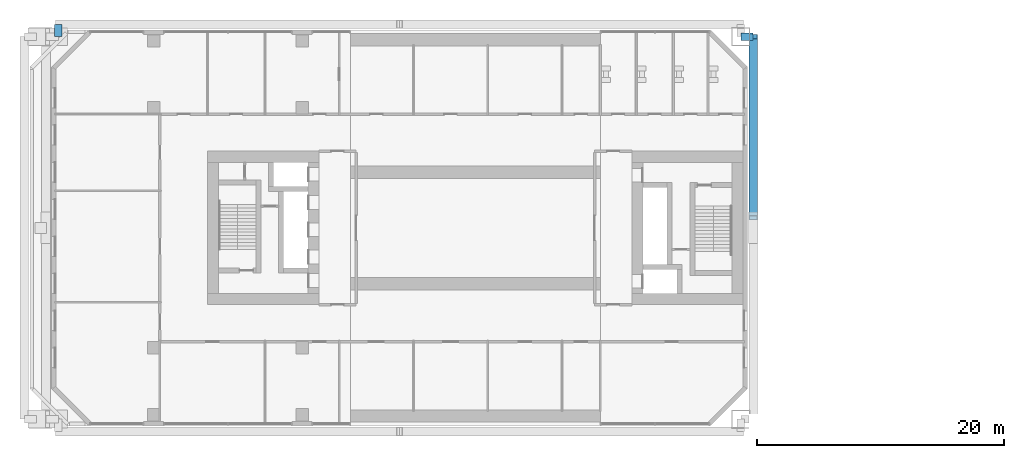
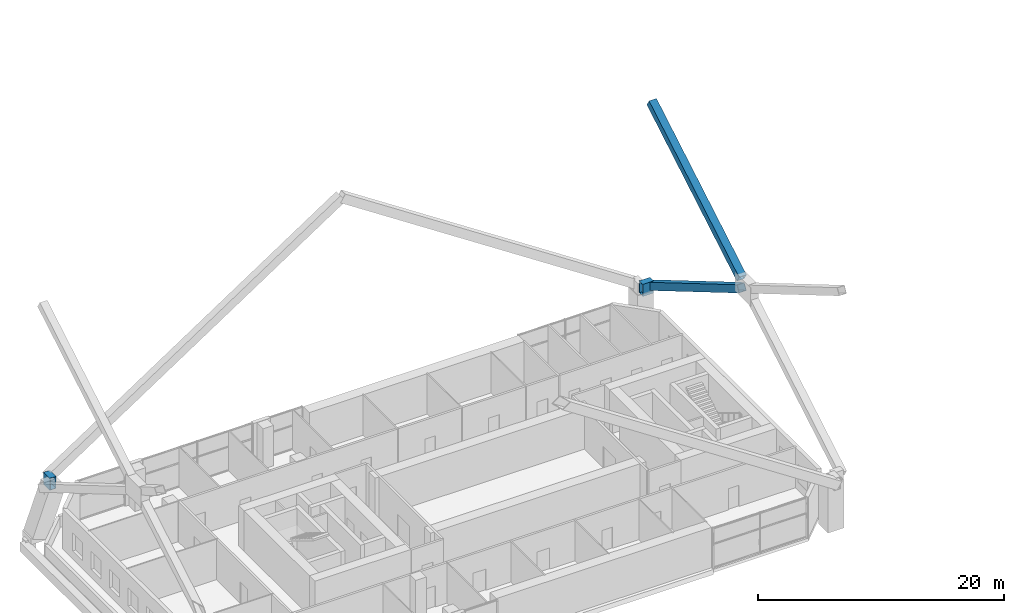
# One storey, part 6 of 25: 2 beams, 2 members.
"""IFC4 building model written with IfcOpenShell, lengths in metres."""

from ifc_helpers import new_model, si_unit, direction, frame, origin, origin_2d, place, context, subcontext, project, spatial, hollow_rectangle, extrude, material, material_profile, profile_set, type_object, element, save


model = new_model("IFC4")

# Units and contexts
model_context = context("Model", 3, precision=1e-05, world=origin(), true_north=direction((0.0, 1.0)))
body_context = subcontext(model_context, "Body", "Model", "MODEL_VIEW")
ifc_project = project(units=[si_unit("LENGTHUNIT", "METRE"), si_unit("AREAUNIT", "SQUARE_METRE"), si_unit("VOLUMEUNIT", "CUBIC_METRE"), si_unit("PLANEANGLEUNIT", "RADIAN"), si_unit("MASSUNIT", "GRAM", prefix="KILO")], contexts=[model_context])

# Site, building, storey
site_placement = place(None, origin())
site = spatial("IfcSite", under=ifc_project, at=site_placement, CompositionType="ELEMENT")
building_placement = place(site_placement, origin())
building = spatial("IfcBuilding", under=site, at=building_placement, Name="Tuart Gate Housing", CompositionType="ELEMENT")
storey_placement = place(building_placement, frame((0.0, 0.0, 14.699951171875)))
storey = spatial("IfcBuildingStorey", under=building, at=storey_placement, Name="L03", CompositionType="ELEMENT", Elevation=14.699951171875)

# Beams
ifc_material_1 = material(Name="Steel Grade 350", Category="steel")
ifc_material_profile_1 = material_profile(ifc_material_1, hollow_rectangle(XDim=0.60009765625, YDim=1.199951171875, WallThickness=0.0400390625, at=origin_2d()), Name="BOX 1200x600x40")
ifc_profile_set_1 = profile_set([ifc_material_profile_1], Name="Steel Grade 350")
beam_type = type_object("IfcBeamType", Name="Brace shoe BOX 1200x600x40", PredefinedType="BEAM", material=ifc_profile_set_1)
for number, where, z_axis, x_axis, name in (
    (1, (20.300048828125, 85.449951171875, 4.800048828125), (0.0, 1.0, 0.0), (-1.0, 0.0, 0.0), "Mega brace shoe A zone 1 north chevron 1"),
    (2, (75.449951171875, 85.449951171875, 4.800048828125), (1.0, 0.0, 0.0), (0.0, 1.0, 0.0), "Mega brace shoe A zone 1 east cross 2"),
):
    element("IfcBeam", number, at=place(storey_placement, frame(where, z_axis=z_axis, x_axis=x_axis)), inside=storey, type_object=beam_type, Name=name, PredefinedType="BEAM", context=body_context, shape_type="SweptSolid", body=[
        extrude(hollow_rectangle(XDim=0.60009765625, YDim=1.199951171875, WallThickness=0.0400390625, at=origin_2d()), origin(), (0.0, 0.0, 1.0), 1.0),
    ])

# Members
ifc_material_2 = material(Name="Steel Grade 350", Category="steel")
ifc_material_profile_2 = material_profile(ifc_material_2, hollow_rectangle(XDim=0.699951171875, YDim=0.699951171875, WallThickness=0.034912109375, at=origin_2d()), Name="BOX 700x700x35")
ifc_profile_set_2 = profile_set([ifc_material_profile_2], Name="Steel Grade 350")
member_type = type_object("IfcMemberType", Name="Mega brace BOX 700x700x35", PredefinedType="BRACE", material=ifc_profile_set_2)
for number, where, z_axis, x_axis, name in (
    (3, (76.449951171875, 70.818603515625, 14.382080078125), (0.0, 0.861644676374, 0.507512021214), (-1.0, 0.0, 0.0), "Mega brace A zone 1 east cross 1 b"),
    (4, (76.449951171875, 85.449951171875, 4.800048828125), (0.0, -0.861644676374, 0.507512021214), (1.0, 0.0, 0.0), "Mega brace A zone 1 east cross 2 a"),
):
    element("IfcMember", number, at=place(storey_placement, frame(where, z_axis=z_axis, x_axis=x_axis)), inside=storey, type_object=member_type, Name=name, PredefinedType="BRACE", context=body_context, shape_type="SweptSolid", body=[
        extrude(hollow_rectangle(XDim=0.699951171875, YDim=0.699951171875, WallThickness=0.034912109375, at=origin_2d()), origin(), (0.0, 0.0, 1.0), 16.980712890625),
    ])

save(model, "model.ifc")
